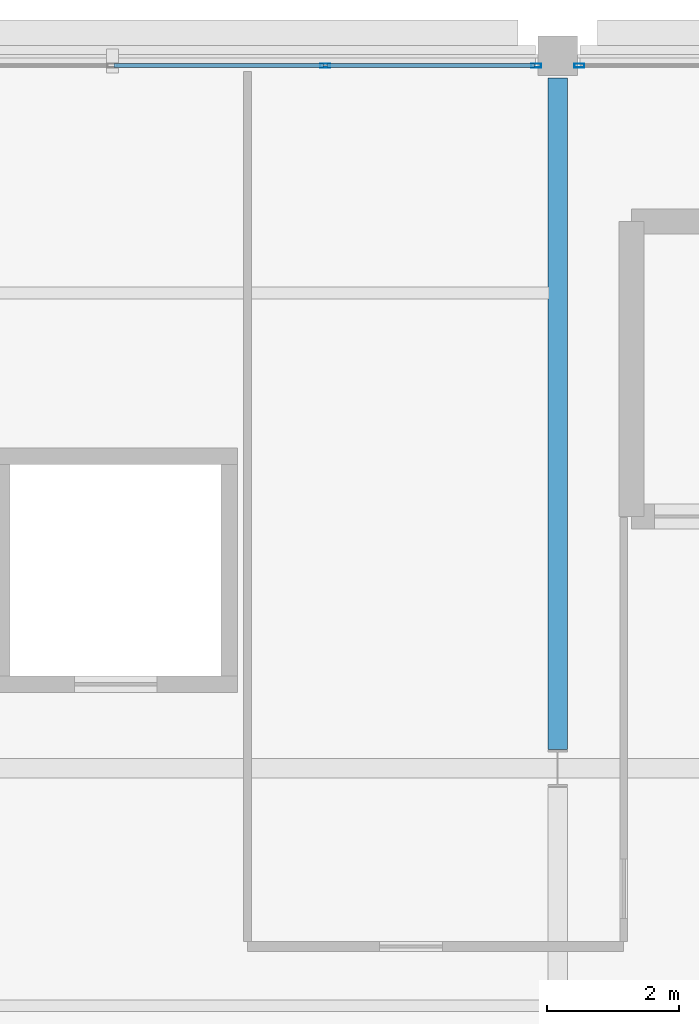
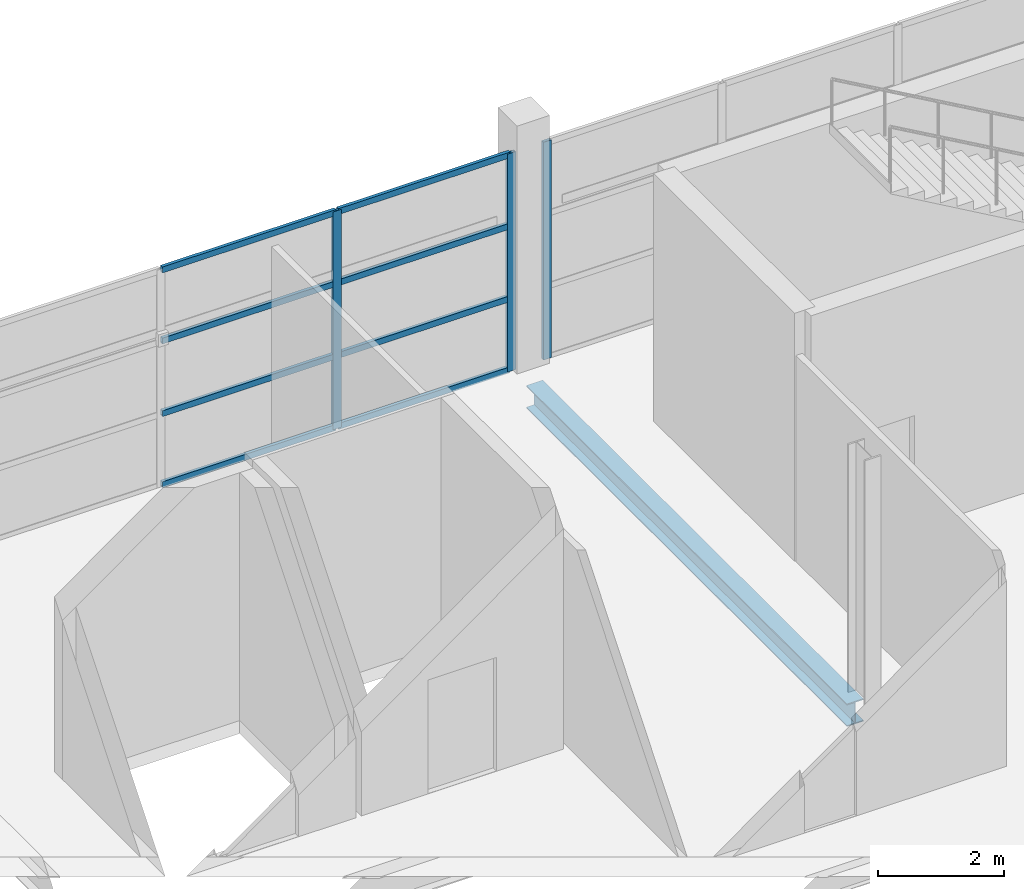
# One storey, part 109 of 134: 11 members, 1 beam, 2 elements without a shape of their own.
"""IFC4 building model written with IfcOpenShell, lengths in metres."""

import ifcopenshell
import ifcopenshell.guid

model = None  # the IFC model being written
_history = None  # IfcOwnerHistory: only IFC2X3 demands one
_inside = {}  # id of a spatial element -> (the spatial element, [elements in it])
_under = {}  # id of a project, library or spatial element -> (it, [spatial elements below it])
_declared = {}  # id of a project -> (the project, [libraries it declares])
_typed = {}  # id of a type object -> (the type object, [elements of that type])
_made_of = {}  # id of a material, layer set ... -> (it, [elements and type objects made of it])


def new_model(schema):
    """Start an empty IFC model of exactly this schema.

    Asked for "IFC4X3", IfcOpenShell would pick the latest addendum, in which some entities
    have other attributes; the version numbers below select the first issue.
    IFC2X3 requires an IfcOwnerHistory on every rooted entity: one is made here for all.
    """
    global model, _history
    if schema == "IFC4X3":
        model = ifcopenshell.file(schema_version=(4, 3, 0, 0))
    else:
        model = ifcopenshell.file(schema=schema)
    _inside.clear()
    _under.clear()
    _declared.clear()
    _typed.clear()
    _made_of.clear()
    _history = None
    if model.schema == "IFC2X3":
        org = make("IfcOrganization", Name="unknown")
        user = make(
            "IfcPersonAndOrganization",
            ThePerson=make("IfcPerson", FamilyName="unknown"),
            TheOrganization=org,
        )
        app = make(
            "IfcApplication",
            ApplicationDeveloper=org,
            Version="unknown",
            ApplicationFullName="unknown",
            ApplicationIdentifier="unknown",
        )
        _history = make(
            "IfcOwnerHistory",
            OwningUser=user,
            OwningApplication=app,
            ChangeAction="ADDED",
            CreationDate=0,
        )
    return model


def make(cls, **values):
    """One entity of the class cls with the attributes given. An attribute that is None is left unset."""
    return model.create_entity(
        cls, **{name: value for name, value in values.items() if value is not None}
    )


def rooted(cls, **values):
    """An entity with a GlobalId (a new one), such as an element, a storey or a relation."""
    return make(cls, GlobalId=ifcopenshell.guid.new(), OwnerHistory=_history, **values)


def si_unit(unit_type, name, prefix=None):
    """IfcSIUnit, for example si_unit("LENGTHUNIT", "METRE", prefix="MILLI")."""
    return make("IfcSIUnit", UnitType=unit_type, Prefix=prefix, Name=name)


def assignment(units):
    """IfcUnitAssignment: the units of a project."""
    return None if units is None else make("IfcUnitAssignment", Units=units)


def point(xyz):
    """IfcCartesianPoint."""
    return None if xyz is None else make("IfcCartesianPoint", Coordinates=xyz)


def direction(xyz):
    """IfcDirection."""
    return None if xyz is None else make("IfcDirection", DirectionRatios=xyz)


def frame(location, z_axis=None, x_axis=None):
    """IfcAxis2Placement3D, a coordinate frame: its origin and axes. An axis left out is left unset."""
    return make(
        "IfcAxis2Placement3D",
        Location=point(location),
        Axis=direction(z_axis),
        RefDirection=direction(x_axis),
    )


def frame_2d(location, x_axis=None):
    """IfcAxis2Placement2D, a coordinate frame in the plane: its origin and x axis."""
    return make(
        "IfcAxis2Placement2D", Location=point(location), RefDirection=direction(x_axis)
    )


def origin():
    """The frame at (0, 0, 0) with its axes left unset."""
    return frame((0.0, 0.0, 0.0))


def origin_2d():
    """The frame at (0, 0) in the plane with its x axis left unset."""
    return frame_2d((0.0, 0.0))


def place(relative_to, where):
    """IfcLocalPlacement: puts the frame where relative to a parent placement (None: the world)."""
    return make(
        "IfcLocalPlacement", PlacementRelTo=relative_to, RelativePlacement=where
    )


def context(
    kind, dimensions, precision=None, world=None, true_north=None, identifier=None
):
    """IfcGeometricRepresentationContext, for example the 3D "Model" context."""
    return make(
        "IfcGeometricRepresentationContext",
        ContextIdentifier=identifier,
        ContextType=kind,
        CoordinateSpaceDimension=dimensions,
        Precision=precision,
        WorldCoordinateSystem=world,
        TrueNorth=true_north,
    )


def subcontext(parent, identifier, kind, view, scale=None):
    """IfcGeometricRepresentationSubContext, for example "Body" below "Model"."""
    return make(
        "IfcGeometricRepresentationSubContext",
        ContextIdentifier=identifier,
        ContextType=kind,
        ParentContext=parent,
        TargetScale=scale,
        TargetView=view,
    )


def project(units=None, contexts=None):
    """IfcProject with its units and contexts."""
    return rooted(
        "IfcProject",
        Name="project",
        RepresentationContexts=contexts,
        UnitsInContext=assignment(units),
    )


def spatial(cls, under=None, at=None, **own):
    """A site, building, storey or space (cls), placed at a placement, below another one or the project."""
    s = rooted(cls, ObjectPlacement=at, **own)
    if under is not None:
        _under.setdefault(under.id(), (under, []))[1].append(s)
    return s


def profile(cls, at=None, kind="AREA", **sizes):
    """A parametric profile (cls). Its sizes go by their IFC names, for example OverallWidth=200.0."""
    return make(cls, ProfileType=kind, Position=at, **sizes)


def hollow_rectangle(**sizes):
    """IfcRectangleHollowProfileDef."""
    return profile("IfcRectangleHollowProfileDef", **sizes)


def i_section(**sizes):
    """IfcIShapeProfileDef."""
    return profile("IfcIShapeProfileDef", **sizes)


def extrude(swept, where, along, depth):
    """IfcExtrudedAreaSolid: the profile swept, set in the frame where, extruded along a direction by depth."""
    return make(
        "IfcExtrudedAreaSolid",
        SweptArea=swept,
        Position=where,
        ExtrudedDirection=direction(along),
        Depth=depth,
    )


def shape(context_of_items, identifier, shape_type, items):
    """IfcShapeRepresentation: the items that make up one representation, for example the "Body"."""
    return make(
        "IfcShapeRepresentation",
        ContextOfItems=context_of_items,
        RepresentationIdentifier=identifier,
        RepresentationType=shape_type,
        Items=items,
    )


def material(Name=None, Category=None):
    """IfcMaterial."""
    return make("IfcMaterial", Name=Name, Category=Category)


def layer(
    of_material, thickness, ventilated=None, Name=None, Category=None, Priority=None
):
    """IfcMaterialLayer: one layer of a wall or slab, of a material (None: an air gap)."""
    return make(
        "IfcMaterialLayer",
        Material=of_material,
        LayerThickness=thickness,
        IsVentilated=ventilated,
        Name=Name,
        Category=Category,
        Priority=Priority,
    )


def layer_set(layers, Name=None):
    """IfcMaterialLayerSet."""
    return make("IfcMaterialLayerSet", MaterialLayers=layers, LayerSetName=Name)


def material_profile(
    of_material, cross_section, Name=None, Category=None, Priority=None
):
    """IfcMaterialProfile: a cross section and its material."""
    return make(
        "IfcMaterialProfile",
        Name=Name,
        Material=of_material,
        Profile=cross_section,
        Priority=Priority,
        Category=Category,
    )


def profile_set(profiles, Name=None, composite=None):
    """IfcMaterialProfileSet."""
    return make(
        "IfcMaterialProfileSet",
        Name=Name,
        MaterialProfiles=profiles,
        CompositeProfile=composite,
    )


def made_of(thing, what):
    """Note that an element or type object is made of a material, layer set ...; save() writes the relation."""
    if what is not None:
        _made_of.setdefault(what.id(), (what, []))[1].append(thing)
    return thing


def type_object(cls, material=None, **own):
    """A type object (cls), such as IfcWallType, which elements share."""
    return made_of(rooted(cls, **own), material)


def element(
    cls,
    number,
    at=None,
    inside=None,
    cuts=None,
    type_object=None,
    material=None,
    context=None,
    identifier="Body",
    shape_type=None,
    held_by="IfcProductDefinitionShape",
    body=None,
    shapes=None,
    **own,
):
    """One element of the class cls, such as IfcWall. Its Tag is "e" and its number.

    at: its placement. inside: the storey or other place that contains it. cuts: it is an
    opening in that element (IfcRelVoidsElement). A single representation is given by context,
    identifier, shape_type and body (its items); several are given by shapes. held_by: the class
    of the entity that holds the representations. save() writes the other relations.
    """
    e = rooted(cls, Tag="e%d" % number, ObjectPlacement=at, **own)
    if body is not None:
        shapes = [shape(context, identifier, shape_type, body)]
    if shapes is not None:
        e.Representation = make(held_by, Representations=shapes)
    if inside is not None:
        _inside.setdefault(inside.id(), (inside, []))[1].append(e)
    if cuts is not None:
        rooted(
            "IfcRelVoidsElement", RelatingBuildingElement=cuts, RelatedOpeningElement=e
        )
    if type_object is not None:
        _typed.setdefault(type_object.id(), (type_object, []))[1].append(e)
    return made_of(e, material)


def aggregate(whole, parts):
    """IfcRelAggregates: a whole, such as a stair, and the parts it consists of."""
    return rooted("IfcRelAggregates", RelatingObject=whole, RelatedObjects=parts)


def save(model, path):
    """Write the relations noted so far, then the file.

    IfcRelAggregates (storeys below a building ...), IfcRelContainedInSpatialStructure (elements
    in a storey), IfcRelDefinesByType, IfcRelAssociatesMaterial and IfcRelDeclares: one each for
    every whole, place, type object, material and project.
    """
    for whole, parts in _under.values():
        aggregate(whole, parts)
    for where, things in _inside.values():
        rooted(
            "IfcRelContainedInSpatialStructure",
            RelatedElements=things,
            RelatingStructure=where,
        )
    for kind, things in _typed.values():
        rooted("IfcRelDefinesByType", RelatedObjects=things, RelatingType=kind)
    for what, things in _made_of.values():
        rooted("IfcRelAssociatesMaterial", RelatedObjects=things, RelatingMaterial=what)
    for by, libraries in _declared.values():
        rooted("IfcRelDeclares", RelatingContext=by, RelatedDefinitions=libraries)
    model.write(path)


model = new_model("IFC4")

# Units and contexts
model_context = context("Model", 3, precision=1e-05, world=origin(), true_north=direction((0.0, 1.0)))
body_context = subcontext(model_context, "Body", "Model", "MODEL_VIEW")
ifc_project = project(units=[si_unit("LENGTHUNIT", "METRE"), si_unit("AREAUNIT", "SQUARE_METRE"), si_unit("VOLUMEUNIT", "CUBIC_METRE"), si_unit("PLANEANGLEUNIT", "RADIAN"), si_unit("MASSUNIT", "GRAM", prefix="KILO")], contexts=[model_context])

# Site, building, storey
site_placement = place(None, origin())
site = spatial("IfcSite", under=ifc_project, at=site_placement, CompositionType="ELEMENT")
building_placement = place(site_placement, origin())
building = spatial("IfcBuilding", under=site, at=building_placement, Name="Tamarisk Ironworks Central Station", CompositionType="ELEMENT")
storey_placement = place(building_placement, frame((0.0, 0.0, 12.60009765625)))
storey = spatial("IfcBuildingStorey", under=building, at=storey_placement, Name="L02", CompositionType="ELEMENT", Elevation=12.60009765625)

# Beam
ifc_material_1 = material(Name="Structural steel S355J2", Category="steel")
ifc_material_profile_1 = material_profile(ifc_material_1, i_section(OverallWidth=0.300048828125, OverallDepth=0.43994140625, WebThickness=0.011474609375, FlangeThickness=0.02099609375, at=origin_2d()), Name="HEA 450")
ifc_profile_set_1 = profile_set([ifc_material_profile_1], Name="Structural steel S355J2")
beam_type = type_object("IfcBeamType", Name="BM-G06", PredefinedType="BEAM", material=ifc_profile_set_1)
beam_placement = place(storey_placement, frame((166.5, 111.887939453125, -0.47021484375), z_axis=(0.0, 1.0, 0.0), x_axis=(-1.0, 0.0, 0.0)))
element("IfcBeam", 1, at=beam_placement, inside=storey, type_object=beam_type, Name="L02 primary girder Y-0529", PredefinedType="BEAM", context=body_context, shape_type="SweptSolid", body=[
    extrude(i_section(OverallWidth=0.300048828125, OverallDepth=0.43994140625, WebThickness=0.011474609375, FlangeThickness=0.02099609375, at=origin_2d()), origin(), (0.0, 0.0, 1.0), 10.174072265625),
])

# Curtain wall, members
ifc_material_2 = material(Name="Anodized aluminium alloy 6063-T6", Category="aluminium")
ifc_layer = layer(ifc_material_2, 0.179931640625)
ifc_layer_set = layer_set([ifc_layer], Name="Anodized aluminium alloy 6063-T6")
curtain_wall_type = type_object("IfcCurtainWallType", Name="CW-17", PredefinedType="USERDEFINED", material=ifc_layer_set)
curtain_wall_1_placement = place(storey_placement, origin())
curtain_wall_1 = element("IfcCurtainWall", 2, at=curtain_wall_1_placement, inside=storey, type_object=curtain_wall_type, Name="Operations L02 north facade curtain wall 153", ObjectType="GLAZED CURTAIN WALL", PredefinedType="USERDEFINED")
ifc_material_profile_2 = material_profile(ifc_material_2, hollow_rectangle(XDim=0.06005859375, YDim=0.14990234375, WallThickness=0.00341796875, at=origin_2d()), Name="ALUM 150x60")
ifc_profile_set_2 = profile_set([ifc_material_profile_2], Name="Anodized aluminium alloy 6063-T6")
member_type_1 = type_object("IfcMemberType", Name="CWM-03", PredefinedType="MULLION", material=ifc_profile_set_2)
member_1_placement = place(storey_placement, frame((162.97607421875, 122.25, 0.0), z_axis=(0.0, 0.0, 1.0), x_axis=(0.0, 1.0, 0.0)))
member_1 = element("IfcMember", 3, at=member_1_placement, type_object=member_type_1, Name="CW17 mullion 4", PredefinedType="MULLION", context=body_context, shape_type="SweptSolid", body=[
    extrude(hollow_rectangle(XDim=0.06005859375, YDim=0.14990234375, WallThickness=0.00341796875, at=origin_2d()), origin(), (0.0, 0.0, 1.0), 4.219970703125),
])
member_2_placement = place(storey_placement, frame((166.172119140625, 122.25, 0.0), z_axis=(0.0, 0.0, 1.0), x_axis=(0.0, 1.0, 0.0)))
member_2 = element("IfcMember", 4, at=member_2_placement, type_object=member_type_1, Name="CW17 mullion 5", PredefinedType="MULLION", context=body_context, shape_type="SweptSolid", body=[
    extrude(hollow_rectangle(XDim=0.06005859375, YDim=0.14990234375, WallThickness=0.00341796875, at=origin_2d()), origin(), (0.0, 0.0, 1.0), 4.219970703125),
])

# Curtain wall, member
curtain_wall_2_placement = place(storey_placement, origin())
curtain_wall_2 = element("IfcCurtainWall", 5, at=curtain_wall_2_placement, inside=storey, type_object=curtain_wall_type, Name="Operations L02 north facade curtain wall 166", ObjectType="GLAZED CURTAIN WALL", PredefinedType="USERDEFINED")
member_3_placement = place(storey_placement, frame((166.827880859375, 122.25, 0.0), z_axis=(0.0, 0.0, 1.0), x_axis=(0.0, 1.0, 0.0)))
member_3 = element("IfcMember", 6, at=member_3_placement, type_object=member_type_1, Name="CW17 mullion 1", PredefinedType="MULLION", context=body_context, shape_type="SweptSolid", body=[
    extrude(hollow_rectangle(XDim=0.06005859375, YDim=0.14990234375, WallThickness=0.00341796875, at=origin_2d()), origin(), (0.0, 0.0, 1.0), 4.219970703125),
])
aggregate(curtain_wall_2, [member_3])

# Member
ifc_material_profile_3 = material_profile(ifc_material_2, hollow_rectangle(XDim=0.06005859375, YDim=0.114990234375, WallThickness=0.00341796875, at=origin_2d()), Name="ALUM 115x60")
ifc_profile_set_3 = profile_set([ifc_material_profile_3], Name="Anodized aluminium alloy 6063-T6")
member_type_2 = type_object("IfcMemberType", Name="CWT-03", PredefinedType="USERDEFINED", material=ifc_profile_set_3)
member_4_placement = place(storey_placement, frame((159.77587890625, 122.25, 0.02978515625), z_axis=(1.0, 0.0, 0.0), x_axis=(0.0, 1.0, 0.0)))
member_4 = element("IfcMember", 7, at=member_4_placement, type_object=member_type_2, Name="CW17 transom 3.1", ObjectType="TRANSOM", PredefinedType="USERDEFINED", context=body_context, shape_type="SweptSolid", body=[
    extrude(hollow_rectangle(XDim=0.06005859375, YDim=0.114990234375, WallThickness=0.00341796875, at=origin_2d()), origin(), (0.0, 0.0, 1.0), 3.174072265625),
])

member_5_placement = place(storey_placement, frame((159.77587890625, 122.25, 1.406494140625), z_axis=(1.0, 0.0, 0.0), x_axis=(0.0, 1.0, 0.0)))
member_5 = element("IfcMember", 8, at=member_5_placement, type_object=member_type_2, Name="CW17 transom 3.2", ObjectType="TRANSOM", PredefinedType="USERDEFINED", context=body_context, shape_type="SweptSolid", body=[
    extrude(hollow_rectangle(XDim=0.06005859375, YDim=0.114990234375, WallThickness=0.00341796875, at=origin_2d()), origin(), (0.0, 0.0, 1.0), 3.174072265625),
])

member_6_placement = place(storey_placement, frame((159.77587890625, 122.25, 2.813232421875), z_axis=(1.0, 0.0, 0.0), x_axis=(0.0, 1.0, 0.0)))
member_6 = element("IfcMember", 9, at=member_6_placement, type_object=member_type_2, Name="CW17 transom 3.3", ObjectType="TRANSOM", PredefinedType="USERDEFINED", context=body_context, shape_type="SweptSolid", body=[
    extrude(hollow_rectangle(XDim=0.06005859375, YDim=0.114990234375, WallThickness=0.00341796875, at=origin_2d()), origin(), (0.0, 0.0, 1.0), 3.174072265625),
])

member_7_placement = place(storey_placement, frame((159.77587890625, 122.25, 4.18994140625), z_axis=(1.0, 0.0, 0.0), x_axis=(0.0, 1.0, 0.0)))
member_7 = element("IfcMember", 10, at=member_7_placement, type_object=member_type_2, Name="CW17 transom 3.4", ObjectType="TRANSOM", PredefinedType="USERDEFINED", context=body_context, shape_type="SweptSolid", body=[
    extrude(hollow_rectangle(XDim=0.06005859375, YDim=0.114990234375, WallThickness=0.00341796875, at=origin_2d()), origin(), (0.0, 0.0, 1.0), 3.174072265625),
])

member_8_placement = place(storey_placement, frame((163.001953125, 122.25, 0.02978515625), z_axis=(1.0, 0.0, 0.0), x_axis=(0.0, 1.0, 0.0)))
member_8 = element("IfcMember", 11, at=member_8_placement, type_object=member_type_2, Name="CW17 transom 4.1", ObjectType="TRANSOM", PredefinedType="USERDEFINED", context=body_context, shape_type="SweptSolid", body=[
    extrude(hollow_rectangle(XDim=0.06005859375, YDim=0.114990234375, WallThickness=0.00341796875, at=origin_2d()), origin(), (0.0, 0.0, 1.0), 3.14404296875),
])

member_9_placement = place(storey_placement, frame((163.001953125, 122.25, 1.406494140625), z_axis=(1.0, 0.0, 0.0), x_axis=(0.0, 1.0, 0.0)))
member_9 = element("IfcMember", 12, at=member_9_placement, type_object=member_type_2, Name="CW17 transom 4.2", ObjectType="TRANSOM", PredefinedType="USERDEFINED", context=body_context, shape_type="SweptSolid", body=[
    extrude(hollow_rectangle(XDim=0.06005859375, YDim=0.114990234375, WallThickness=0.00341796875, at=origin_2d()), origin(), (0.0, 0.0, 1.0), 3.14404296875),
])

member_10_placement = place(storey_placement, frame((163.001953125, 122.25, 2.813232421875), z_axis=(1.0, 0.0, 0.0), x_axis=(0.0, 1.0, 0.0)))
member_10 = element("IfcMember", 13, at=member_10_placement, type_object=member_type_2, Name="CW17 transom 4.3", ObjectType="TRANSOM", PredefinedType="USERDEFINED", context=body_context, shape_type="SweptSolid", body=[
    extrude(hollow_rectangle(XDim=0.06005859375, YDim=0.114990234375, WallThickness=0.00341796875, at=origin_2d()), origin(), (0.0, 0.0, 1.0), 3.14404296875),
])

member_11_placement = place(storey_placement, frame((163.001953125, 122.25, 4.18994140625), z_axis=(1.0, 0.0, 0.0), x_axis=(0.0, 1.0, 0.0)))
member_11 = element("IfcMember", 14, at=member_11_placement, type_object=member_type_2, Name="CW17 transom 4.4", ObjectType="TRANSOM", PredefinedType="USERDEFINED", context=body_context, shape_type="SweptSolid", body=[
    extrude(hollow_rectangle(XDim=0.06005859375, YDim=0.114990234375, WallThickness=0.00341796875, at=origin_2d()), origin(), (0.0, 0.0, 1.0), 3.14404296875),
])

aggregate(curtain_wall_1, [member_1, member_2, member_4, member_5, member_6, member_7, member_8, member_9, member_10, member_11])

save(model, "model.ifc")
